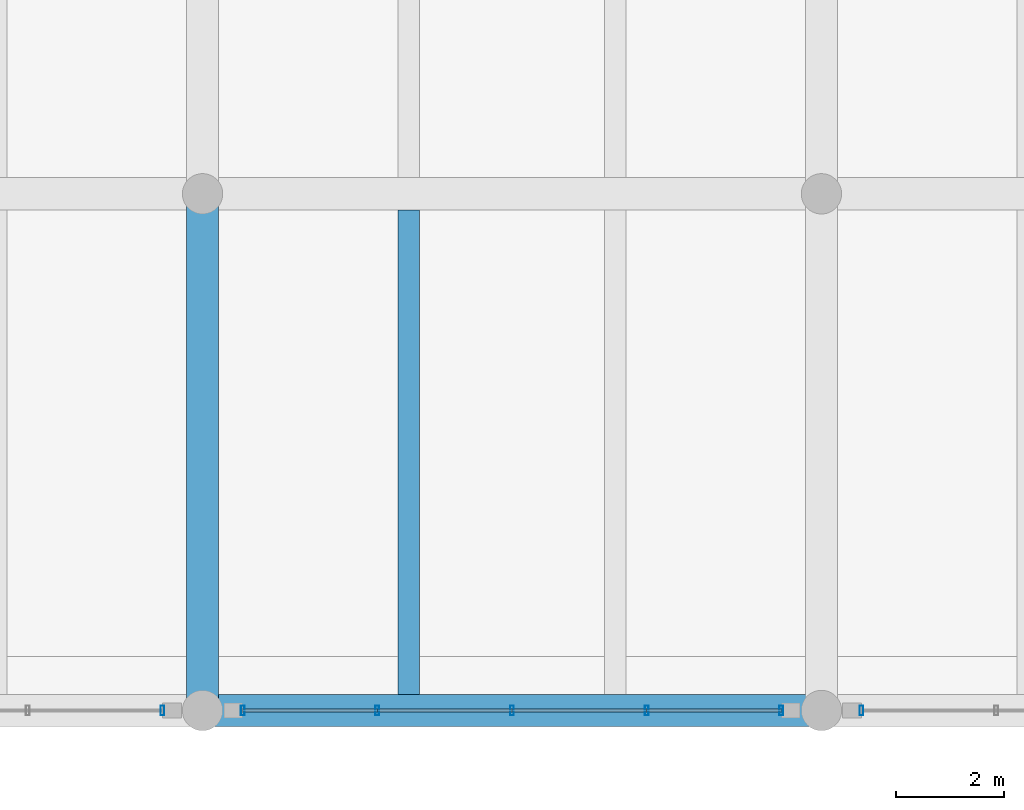
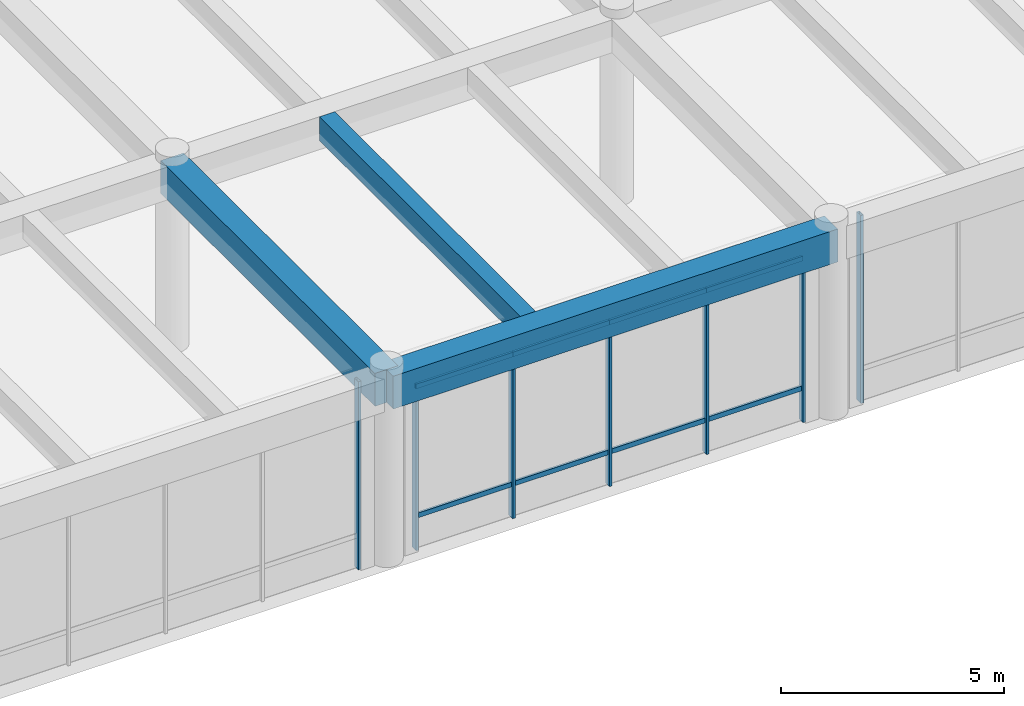
# One storey, part 28 of 148: 15 members, 3 beams, 3 elements without a shape of their own.
"""IFC4 building model written with IfcOpenShell, lengths in metres."""

from ifc_helpers import new_model, si_unit, direction, frame, origin, origin_2d, place, context, subcontext, project, spatial, rectangle, hollow_rectangle, extrude, material, material_profile, profile_set, type_object, element, aggregate, save


model = new_model("IFC4")

# Units and contexts
model_context = context("Model", 3, precision=1e-05, world=origin(), true_north=direction((0.0, 1.0)))
body_context = subcontext(model_context, "Body", "Model", "MODEL_VIEW")
ifc_project = project(units=[si_unit("LENGTHUNIT", "METRE"), si_unit("AREAUNIT", "SQUARE_METRE"), si_unit("VOLUMEUNIT", "CUBIC_METRE"), si_unit("PLANEANGLEUNIT", "RADIAN"), si_unit("MASSUNIT", "GRAM", prefix="KILO")], contexts=[model_context])

# Site, building, storey
site_placement = place(None, origin())
site = spatial("IfcSite", under=ifc_project, at=site_placement, CompositionType="ELEMENT")
building_placement = place(site_placement, origin())
building = spatial("IfcBuilding", under=site, at=building_placement, Name="Ologun Quay Terminus", CompositionType="ELEMENT")
storey_placement = place(building_placement, frame((0.0, 0.0, 8.39990234375)))
storey = spatial("IfcBuildingStorey", under=building, at=storey_placement, Name="L02", CompositionType="ELEMENT", Elevation=8.39990234375)

# Curtain wall, member
ifc_material_1 = material(Name="Aluminium 6063-T6", Category="aluminium")
curtain_wall_type = type_object("IfcCurtainWallType", Name="Concourse Departure Curtain Wall 10700x4950", PredefinedType="USERDEFINED", material=ifc_material_1)
curtain_wall_1_placement = place(storey_placement, origin())
curtain_wall_1 = element("IfcCurtainWall", 1, at=curtain_wall_1_placement, inside=storey, type_object=curtain_wall_type, Name="CW-05 Curtain Wall CW-L02-025", ObjectType="UNITISED CURTAIN WALL", PredefinedType="USERDEFINED")
ifc_material_2 = material(Name="Aluminium 6063-T6", Category="aluminium")
ifc_material_profile_1 = material_profile(ifc_material_2, hollow_rectangle(XDim=0.070068359375, YDim=0.179931640625, WallThickness=0.0048828125, at=origin_2d()), Name="ALU 180x70x5")
ifc_profile_set_1 = profile_set([ifc_material_profile_1], Name="Aluminium 6063-T6")
member_type_1 = type_object("IfcMemberType", Name="Curtain Wall Heavy Mullion 180x70", PredefinedType="MULLION", material=ifc_profile_set_1)
member_1_placement = place(storey_placement, frame((79.7548828125, 8.0, 0.0), z_axis=(0.0, 0.0, 1.0), x_axis=(1.0, 0.0, 0.0)))
member_1 = element("IfcMember", 2, at=member_1_placement, type_object=member_type_1, Name="CW-L02-025 Mullion 5", PredefinedType="MULLION", context=body_context, shape_type="SweptSolid", body=[
    extrude(hollow_rectangle(XDim=0.070068359375, YDim=0.179931640625, WallThickness=0.0048828125, at=origin_2d()), origin(), (0.0, 0.0, 1.0), 5.14013671875),
])
aggregate(curtain_wall_1, [member_1])

# Curtain wall, members
curtain_wall_2_placement = place(storey_placement, origin())
curtain_wall_2 = element("IfcCurtainWall", 3, at=curtain_wall_2_placement, inside=storey, type_object=curtain_wall_type, Name="CW-05 Curtain Wall CW-L02-026", ObjectType="UNITISED CURTAIN WALL", PredefinedType="USERDEFINED")
member_2_placement = place(storey_placement, frame((81.2451171875, 8.0, 0.0), z_axis=(0.0, 0.0, 1.0), x_axis=(1.0, 0.0, 0.0)))
member_2 = element("IfcMember", 4, at=member_2_placement, type_object=member_type_1, Name="CW-L02-026 Mullion 1", PredefinedType="MULLION", context=body_context, shape_type="SweptSolid", body=[
    extrude(hollow_rectangle(XDim=0.070068359375, YDim=0.179931640625, WallThickness=0.0048828125, at=origin_2d()), origin(), (0.0, 0.0, 1.0), 5.14013671875),
])
member_3_placement = place(storey_placement, frame((83.74755859375, 8.0, 0.0), z_axis=(0.0, 0.0, 1.0), x_axis=(1.0, 0.0, 0.0)))
member_3 = element("IfcMember", 5, at=member_3_placement, type_object=member_type_1, Name="CW-L02-026 Mullion 2", PredefinedType="MULLION", context=body_context, shape_type="SweptSolid", body=[
    extrude(hollow_rectangle(XDim=0.070068359375, YDim=0.179931640625, WallThickness=0.0048828125, at=origin_2d()), origin(), (0.0, 0.0, 1.0), 5.14013671875),
])
member_4_placement = place(storey_placement, frame((86.25, 8.0, 0.0), z_axis=(0.0, 0.0, 1.0), x_axis=(1.0, 0.0, 0.0)))
member_4 = element("IfcMember", 6, at=member_4_placement, type_object=member_type_1, Name="CW-L02-026 Mullion 3", PredefinedType="MULLION", context=body_context, shape_type="SweptSolid", body=[
    extrude(hollow_rectangle(XDim=0.070068359375, YDim=0.179931640625, WallThickness=0.0048828125, at=origin_2d()), origin(), (0.0, 0.0, 1.0), 5.14013671875),
])
member_5_placement = place(storey_placement, frame((88.75244140625, 8.0, 0.0), z_axis=(0.0, 0.0, 1.0), x_axis=(1.0, 0.0, 0.0)))
member_5 = element("IfcMember", 7, at=member_5_placement, type_object=member_type_1, Name="CW-L02-026 Mullion 4", PredefinedType="MULLION", context=body_context, shape_type="SweptSolid", body=[
    extrude(hollow_rectangle(XDim=0.070068359375, YDim=0.179931640625, WallThickness=0.0048828125, at=origin_2d()), origin(), (0.0, 0.0, 1.0), 5.14013671875),
])
member_6_placement = place(storey_placement, frame((91.2548828125, 8.0, 0.0), z_axis=(0.0, 0.0, 1.0), x_axis=(1.0, 0.0, 0.0)))
member_6 = element("IfcMember", 8, at=member_6_placement, type_object=member_type_1, Name="CW-L02-026 Mullion 5", PredefinedType="MULLION", context=body_context, shape_type="SweptSolid", body=[
    extrude(hollow_rectangle(XDim=0.070068359375, YDim=0.179931640625, WallThickness=0.0048828125, at=origin_2d()), origin(), (0.0, 0.0, 1.0), 5.14013671875),
])

# Curtain wall, member
curtain_wall_3_placement = place(storey_placement, origin())
curtain_wall_3 = element("IfcCurtainWall", 9, at=curtain_wall_3_placement, inside=storey, type_object=curtain_wall_type, Name="CW-05 Curtain Wall CW-L02-027", ObjectType="UNITISED CURTAIN WALL", PredefinedType="USERDEFINED")
member_7_placement = place(storey_placement, frame((92.7451171875, 8.0, 0.0), z_axis=(0.0, 0.0, 1.0), x_axis=(1.0, 0.0, 0.0)))
member_7 = element("IfcMember", 10, at=member_7_placement, type_object=member_type_1, Name="CW-L02-027 Mullion 1", PredefinedType="MULLION", context=body_context, shape_type="SweptSolid", body=[
    extrude(hollow_rectangle(XDim=0.070068359375, YDim=0.179931640625, WallThickness=0.0048828125, at=origin_2d()), origin(), (0.0, 0.0, 1.0), 5.14013671875),
])
aggregate(curtain_wall_3, [member_7])

# Member
ifc_material_3 = material(Name="Aluminium 6063-T6", Category="aluminium")
ifc_material_profile_2 = material_profile(ifc_material_3, hollow_rectangle(XDim=0.06005859375, YDim=0.1298828125, WallThickness=0.00390625, at=origin_2d()), Name="ALU 130x60x4")
ifc_profile_set_2 = profile_set([ifc_material_profile_2], Name="Aluminium 6063-T6")
member_type_2 = type_object("IfcMemberType", Name="Curtain Wall Heavy Transom 130x60", PredefinedType="USERDEFINED", material=ifc_profile_set_2)
member_8_placement = place(storey_placement, frame((81.2451171875, 8.0, 0.900146484375), z_axis=(1.0, 0.0, 0.0), x_axis=(0.0, 1.0, 0.0)))
member_8 = element("IfcMember", 11, at=member_8_placement, type_object=member_type_2, Name="CW-L02-026 Transom B1-1", ObjectType="TRANSOM", PredefinedType="USERDEFINED", context=body_context, shape_type="SweptSolid", body=[
    extrude(hollow_rectangle(XDim=0.06005859375, YDim=0.1298828125, WallThickness=0.00390625, at=origin_2d()), origin(), (0.0, 0.0, 1.0), 2.50244140625),
])

member_9_placement = place(storey_placement, frame((81.2451171875, 8.0, 4.440185546875), z_axis=(1.0, 0.0, 0.0), x_axis=(0.0, 1.0, 0.0)))
member_9 = element("IfcMember", 12, at=member_9_placement, type_object=member_type_2, Name="CW-L02-026 Transom B1-2", ObjectType="TRANSOM", PredefinedType="USERDEFINED", context=body_context, shape_type="SweptSolid", body=[
    extrude(hollow_rectangle(XDim=0.06005859375, YDim=0.1298828125, WallThickness=0.00390625, at=origin_2d()), origin(), (0.0, 0.0, 1.0), 2.50244140625),
])

member_10_placement = place(storey_placement, frame((83.74755859375, 8.0, 0.900146484375), z_axis=(1.0, 0.0, 0.0), x_axis=(0.0, 1.0, 0.0)))
member_10 = element("IfcMember", 13, at=member_10_placement, type_object=member_type_2, Name="CW-L02-026 Transom B2-1", ObjectType="TRANSOM", PredefinedType="USERDEFINED", context=body_context, shape_type="SweptSolid", body=[
    extrude(hollow_rectangle(XDim=0.06005859375, YDim=0.1298828125, WallThickness=0.00390625, at=origin_2d()), origin(), (0.0, 0.0, 1.0), 2.50244140625),
])

member_11_placement = place(storey_placement, frame((83.74755859375, 8.0, 4.440185546875), z_axis=(1.0, 0.0, 0.0), x_axis=(0.0, 1.0, 0.0)))
member_11 = element("IfcMember", 14, at=member_11_placement, type_object=member_type_2, Name="CW-L02-026 Transom B2-2", ObjectType="TRANSOM", PredefinedType="USERDEFINED", context=body_context, shape_type="SweptSolid", body=[
    extrude(hollow_rectangle(XDim=0.06005859375, YDim=0.1298828125, WallThickness=0.00390625, at=origin_2d()), origin(), (0.0, 0.0, 1.0), 2.50244140625),
])

member_12_placement = place(storey_placement, frame((86.25, 8.0, 0.900146484375), z_axis=(1.0, 0.0, 0.0), x_axis=(0.0, 1.0, 0.0)))
member_12 = element("IfcMember", 15, at=member_12_placement, type_object=member_type_2, Name="CW-L02-026 Transom B3-1", ObjectType="TRANSOM", PredefinedType="USERDEFINED", context=body_context, shape_type="SweptSolid", body=[
    extrude(hollow_rectangle(XDim=0.06005859375, YDim=0.1298828125, WallThickness=0.00390625, at=origin_2d()), origin(), (0.0, 0.0, 1.0), 2.50244140625),
])

member_13_placement = place(storey_placement, frame((86.25, 8.0, 4.440185546875), z_axis=(1.0, 0.0, 0.0), x_axis=(0.0, 1.0, 0.0)))
member_13 = element("IfcMember", 16, at=member_13_placement, type_object=member_type_2, Name="CW-L02-026 Transom B3-2", ObjectType="TRANSOM", PredefinedType="USERDEFINED", context=body_context, shape_type="SweptSolid", body=[
    extrude(hollow_rectangle(XDim=0.06005859375, YDim=0.1298828125, WallThickness=0.00390625, at=origin_2d()), origin(), (0.0, 0.0, 1.0), 2.50244140625),
])

member_14_placement = place(storey_placement, frame((88.75244140625, 8.0, 0.900146484375), z_axis=(1.0, 0.0, 0.0), x_axis=(0.0, 1.0, 0.0)))
member_14 = element("IfcMember", 17, at=member_14_placement, type_object=member_type_2, Name="CW-L02-026 Transom B4-1", ObjectType="TRANSOM", PredefinedType="USERDEFINED", context=body_context, shape_type="SweptSolid", body=[
    extrude(hollow_rectangle(XDim=0.06005859375, YDim=0.1298828125, WallThickness=0.00390625, at=origin_2d()), origin(), (0.0, 0.0, 1.0), 2.50244140625),
])

member_15_placement = place(storey_placement, frame((88.75244140625, 8.0, 4.440185546875), z_axis=(1.0, 0.0, 0.0), x_axis=(0.0, 1.0, 0.0)))
member_15 = element("IfcMember", 18, at=member_15_placement, type_object=member_type_2, Name="CW-L02-026 Transom B4-2", ObjectType="TRANSOM", PredefinedType="USERDEFINED", context=body_context, shape_type="SweptSolid", body=[
    extrude(hollow_rectangle(XDim=0.06005859375, YDim=0.1298828125, WallThickness=0.00390625, at=origin_2d()), origin(), (0.0, 0.0, 1.0), 2.50244140625),
])

aggregate(curtain_wall_2, [member_2, member_3, member_4, member_5, member_6, member_8, member_9, member_10, member_11, member_12, member_13, member_14, member_15])

# Beams
ifc_material_4 = material(Name="Concrete C40/50", Category="concrete")
ifc_material_profile_3 = material_profile(ifc_material_4, rectangle(XDim=0.60009765625, YDim=0.89990234375, at=origin_2d()), Name="RC 600x900")
ifc_profile_set_3 = profile_set([ifc_material_profile_3], Name="Concrete C40/50")
beam_type_1 = type_object("IfcBeamType", Name="Station Frame Girder 600x900", PredefinedType="BEAM", material=ifc_profile_set_3)
beam_1_placement = place(storey_placement, frame((80.5, 8.0, 4.7001953125), z_axis=(1.0, 0.0, 0.0), x_axis=(0.0, 1.0, 0.0)))
element("IfcBeam", 19, at=beam_1_placement, inside=storey, type_object=beam_type_1, Name="B3 Beam 8/B L02", PredefinedType="BEAM", context=body_context, shape_type="SweptSolid", body=[
    extrude(rectangle(XDim=0.60009765625, YDim=0.89990234375, at=origin_2d()), origin(), (0.0, 0.0, 1.0), 11.5),
])
beam_2_placement = place(storey_placement, frame((80.5, 8.0, 4.7001953125), z_axis=(0.0, 1.0, 0.0), x_axis=(-1.0, 0.0, 0.0)))
element("IfcBeam", 20, at=beam_2_placement, inside=storey, type_object=beam_type_1, Name="B3 Beam 8/B L02", PredefinedType="BEAM", context=body_context, shape_type="SweptSolid", body=[
    extrude(rectangle(XDim=0.60009765625, YDim=0.89990234375, at=origin_2d()), origin(), (0.0, 0.0, 1.0), 9.60009765625),
])
ifc_material_5 = material(Name="Concrete C40/50", Category="concrete")
ifc_material_profile_4 = material_profile(ifc_material_5, rectangle(XDim=0.39990234375, YDim=0.64990234375, at=origin_2d()), Name="RC 400x650")
ifc_profile_set_4 = profile_set([ifc_material_profile_4], Name="Concrete C40/50")
beam_type_2 = type_object("IfcBeamType", Name="Station Secondary Joist 400x650", PredefinedType="JOIST", material=ifc_profile_set_4)
beam_3_placement = place(storey_placement, frame((84.333251953125, 8.300048828125, 4.8251953125), z_axis=(0.0, 1.0, 0.0), x_axis=(-1.0, 0.0, 0.0)))
element("IfcBeam", 21, at=beam_3_placement, inside=storey, type_object=beam_type_2, Name="J1 Beam 8/B L02", PredefinedType="JOIST", context=body_context, shape_type="SweptSolid", body=[
    extrude(rectangle(XDim=0.39990234375, YDim=0.64990234375, at=origin_2d()), origin(), (0.0, 0.0, 1.0), 9.0),
])

save(model, "model.ifc")
